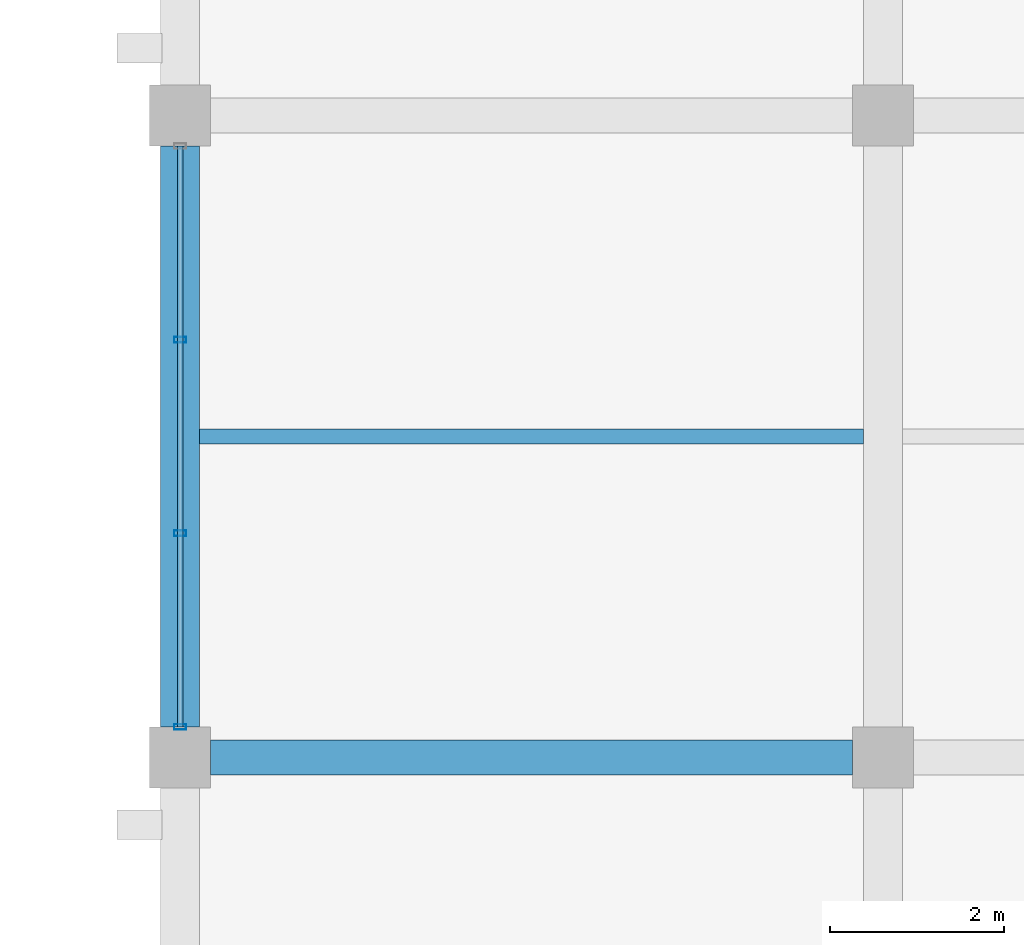
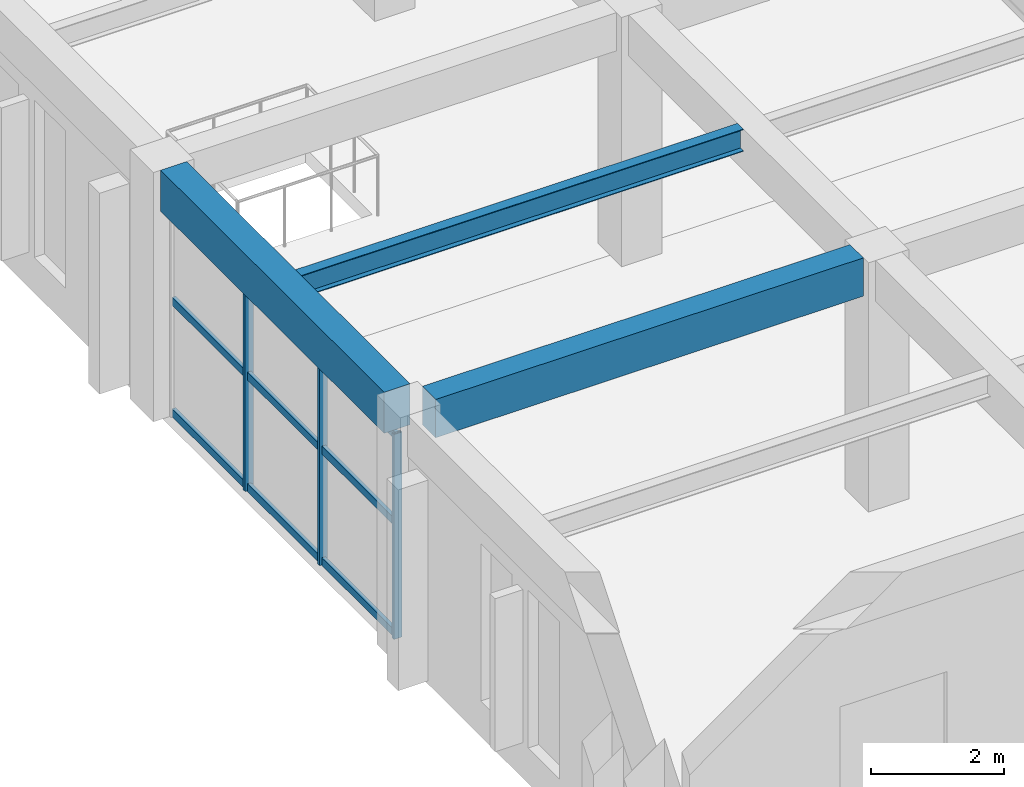
# One storey, part 70 of 161: 6 members, 3 beams, 1 element without a shape of its own.
"""IFC4 building model written with IfcOpenShell, lengths in metres."""

from ifc_helpers import new_model, si_unit, direction, frame, origin, origin_2d, place, context, subcontext, project, spatial, rectangle, hollow_rectangle, i_section, extrude, material, material_profile, profile_set, type_object, element, aggregate, save


model = new_model("IFC4")

# Units and contexts
model_context = context("Model", 3, precision=1e-05, world=origin(), true_north=direction((0.0, 1.0)))
body_context = subcontext(model_context, "Body", "Model", "MODEL_VIEW")
ifc_project = project(units=[si_unit("LENGTHUNIT", "METRE"), si_unit("AREAUNIT", "SQUARE_METRE"), si_unit("VOLUMEUNIT", "CUBIC_METRE"), si_unit("PLANEANGLEUNIT", "RADIAN"), si_unit("MASSUNIT", "GRAM", prefix="KILO")], contexts=[model_context])

# Site, building, storey
site_placement = place(None, origin())
site = spatial("IfcSite", under=ifc_project, at=site_placement, CompositionType="ELEMENT")
building_placement = place(site_placement, origin())
building = spatial("IfcBuilding", under=site, at=building_placement, Name="Cimatlan Art Gallery", CompositionType="ELEMENT")
storey_placement = place(building_placement, frame((0.0, 0.0, 5.39990234375)))
storey = spatial("IfcBuildingStorey", under=building, at=storey_placement, Name="L01", CompositionType="ELEMENT", Elevation=5.39990234375)

# Beams
ifc_material_1 = material(Name="Concrete C40/50", Category="concrete")
ifc_material_profile_1 = material_profile(ifc_material_1, rectangle(XDim=0.39990234375, YDim=0.699951171875, at=origin_2d()), Name="RC400X700")
ifc_profile_set_1 = profile_set([ifc_material_profile_1], Name="Concrete C40/50")
beam_type_1 = type_object("IfcBeamType", Name="BM-RC-400X700", PredefinedType="BEAM", material=ifc_profile_set_1)
beam_1_placement = place(storey_placement, frame((34.75, 68.300048828125, 4.210205078125), z_axis=(1.0, 0.0, 0.0), x_axis=(0.0, 1.0, 0.0)))
element("IfcBeam", 1, at=beam_1_placement, inside=storey, type_object=beam_type_1, Name="BM-X-L01-04-09", PredefinedType="BEAM", context=body_context, shape_type="SweptSolid", body=[
    extrude(rectangle(XDim=0.39990234375, YDim=0.699951171875, at=origin_2d()), origin(), (0.0, 0.0, 1.0), 7.39990234375),
])
ifc_material_profile_2 = material_profile(ifc_material_1, rectangle(XDim=0.449951171875, YDim=0.75, at=origin_2d()), Name="RC450X750")
ifc_profile_set_2 = profile_set([ifc_material_profile_2], Name="Concrete C40/50")
beam_type_2 = type_object("IfcBeamType", Name="BM-RC-450X750", PredefinedType="BEAM", material=ifc_profile_set_2)
beam_2_placement = place(storey_placement, frame((34.39990234375, 68.64990234375, 4.18505859375), z_axis=(0.0, 1.0, 0.0), x_axis=(-1.0, 0.0, 0.0)))
element("IfcBeam", 2, at=beam_2_placement, inside=storey, type_object=beam_type_2, Name="BM-Y-L01-04-09", PredefinedType="BEAM", context=body_context, shape_type="SweptSolid", body=[
    extrude(rectangle(XDim=0.449951171875, YDim=0.75, at=origin_2d()), origin(), (0.0, 0.0, 1.0), 6.7001953125),
])
ifc_material_2 = material(Name="Steel ASTM A992 Grade 50", Category="steel")
ifc_material_profile_3 = material_profile(ifc_material_2, i_section(OverallWidth=0.177978515625, OverallDepth=0.406982421875, WebThickness=0.0078125, FlangeThickness=0.0126953125, at=origin_2d()), Name="W16X40")
ifc_profile_set_3 = profile_set([ifc_material_profile_3], Name="Steel ASTM A992 Grade 50")
beam_type_3 = type_object("IfcBeamType", Name="BM-STL-W16X40", PredefinedType="JOIST", material=ifc_profile_set_3)
beam_3_placement = place(storey_placement, frame((34.625, 72.0, 4.356689453125), z_axis=(1.0, 0.0, 0.0), x_axis=(0.0, 1.0, 0.0)))
element("IfcBeam", 3, at=beam_3_placement, inside=storey, type_object=beam_type_3, Name="JST-L01-04-09", PredefinedType="JOIST", context=body_context, shape_type="SweptSolid", body=[
    extrude(i_section(OverallWidth=0.177978515625, OverallDepth=0.406982421875, WebThickness=0.0078125, FlangeThickness=0.0126953125, at=origin_2d()), origin(), (0.0, 0.0, 1.0), 7.64990234375),
])

# Curtain wall, members
ifc_material_3 = material(Name="Anodised bronze unitised curtain wall")
curtain_wall_type = type_object("IfcCurtainWallType", Name="CW-V-06692X03750-B3", PredefinedType="NOTDEFINED", material=ifc_material_3)
curtain_wall_placement = place(storey_placement, origin())
curtain_wall = element("IfcCurtainWall", 4, at=curtain_wall_placement, inside=storey, type_object=curtain_wall_type, Name="CW-L01-04-09-W", PredefinedType="NOTDEFINED")
ifc_material_4 = material(Name="Anodised bronze aluminium 6063-T6", Category="aluminium")
ifc_material_profile_4 = material_profile(ifc_material_4, hollow_rectangle(XDim=0.06494140625, YDim=0.139892578125, WallThickness=0.00390625, at=origin_2d()), Name="ALU65X140X4")
ifc_profile_set_4 = profile_set([ifc_material_profile_4], Name="Anodised bronze aluminium 6063-T6")
member_type_1 = type_object("IfcMemberType", Name="CW-MUL-140", PredefinedType="MULLION", material=ifc_profile_set_4)
member_1_placement = place(storey_placement, frame((34.39990234375, 68.654052734375, 0.0), z_axis=(0.0, 0.0, 1.0), x_axis=(0.0, 1.0, 0.0)))
member_1 = element("IfcMember", 5, at=member_1_placement, type_object=member_type_1, Name="CW-L01-04-09-W-M1", PredefinedType="MULLION", context=body_context, shape_type="SweptSolid", body=[
    extrude(hollow_rectangle(XDim=0.06494140625, YDim=0.139892578125, WallThickness=0.00390625, at=origin_2d()), origin(), (0.0, 0.0, 1.0), 3.75),
])
member_2_placement = place(storey_placement, frame((34.39990234375, 70.884765625, 0.0), z_axis=(0.0, 0.0, 1.0), x_axis=(0.0, 1.0, 0.0)))
member_2 = element("IfcMember", 6, at=member_2_placement, type_object=member_type_1, Name="CW-L01-04-09-W-M2", PredefinedType="MULLION", context=body_context, shape_type="SweptSolid", body=[
    extrude(hollow_rectangle(XDim=0.06494140625, YDim=0.139892578125, WallThickness=0.00390625, at=origin_2d()), origin(), (0.0, 0.0, 1.0), 3.75),
])
member_3_placement = place(storey_placement, frame((34.39990234375, 73.115234375, 0.0), z_axis=(0.0, 0.0, 1.0), x_axis=(0.0, 1.0, 0.0)))
member_3 = element("IfcMember", 7, at=member_3_placement, type_object=member_type_1, Name="CW-L01-04-09-W-M3", PredefinedType="MULLION", context=body_context, shape_type="SweptSolid", body=[
    extrude(hollow_rectangle(XDim=0.06494140625, YDim=0.139892578125, WallThickness=0.00390625, at=origin_2d()), origin(), (0.0, 0.0, 1.0), 3.75),
])
ifc_material_profile_5 = material_profile(ifc_material_4, hollow_rectangle(XDim=0.06494140625, YDim=0.139892578125, WallThickness=0.00390625, at=origin_2d()), Name="ALU65X140X4")
ifc_profile_set_5 = profile_set([ifc_material_profile_5], Name="Anodised bronze aluminium 6063-T6")
member_type_2 = type_object("IfcMemberType", Name="CW-TRN-140", PredefinedType="USERDEFINED", material=ifc_profile_set_5)
member_4_placement = place(storey_placement, frame((34.39990234375, 68.654052734375, 0.06005859375), z_axis=(0.0, 1.0, 0.0), x_axis=(-1.0, 0.0, 0.0)))
member_4 = element("IfcMember", 8, at=member_4_placement, type_object=member_type_2, Name="CW-L01-04-09-W-T1", ObjectType="TRANSOM", PredefinedType="USERDEFINED", context=body_context, shape_type="SweptSolid", body=[
    extrude(hollow_rectangle(XDim=0.06494140625, YDim=0.139892578125, WallThickness=0.00390625, at=origin_2d()), origin(), (0.0, 0.0, 1.0), 6.69189453125),
])
member_5_placement = place(storey_placement, frame((34.39990234375, 68.654052734375, 2.10009765625), z_axis=(0.0, 1.0, 0.0), x_axis=(-1.0, 0.0, 0.0)))
member_5 = element("IfcMember", 9, at=member_5_placement, type_object=member_type_2, Name="CW-L01-04-09-W-T2", ObjectType="TRANSOM", PredefinedType="USERDEFINED", context=body_context, shape_type="SweptSolid", body=[
    extrude(hollow_rectangle(XDim=0.06494140625, YDim=0.139892578125, WallThickness=0.00390625, at=origin_2d()), origin(), (0.0, 0.0, 1.0), 6.69189453125),
])
member_6_placement = place(storey_placement, frame((34.39990234375, 68.654052734375, 3.690185546875), z_axis=(0.0, 1.0, 0.0), x_axis=(-1.0, 0.0, 0.0)))
member_6 = element("IfcMember", 10, at=member_6_placement, type_object=member_type_2, Name="CW-L01-04-09-W-T3", ObjectType="TRANSOM", PredefinedType="USERDEFINED", context=body_context, shape_type="SweptSolid", body=[
    extrude(hollow_rectangle(XDim=0.06494140625, YDim=0.139892578125, WallThickness=0.00390625, at=origin_2d()), origin(), (0.0, 0.0, 1.0), 6.69189453125),
])
aggregate(curtain_wall, [member_1, member_2, member_3, member_4, member_5, member_6])

save(model, "model.ifc")
